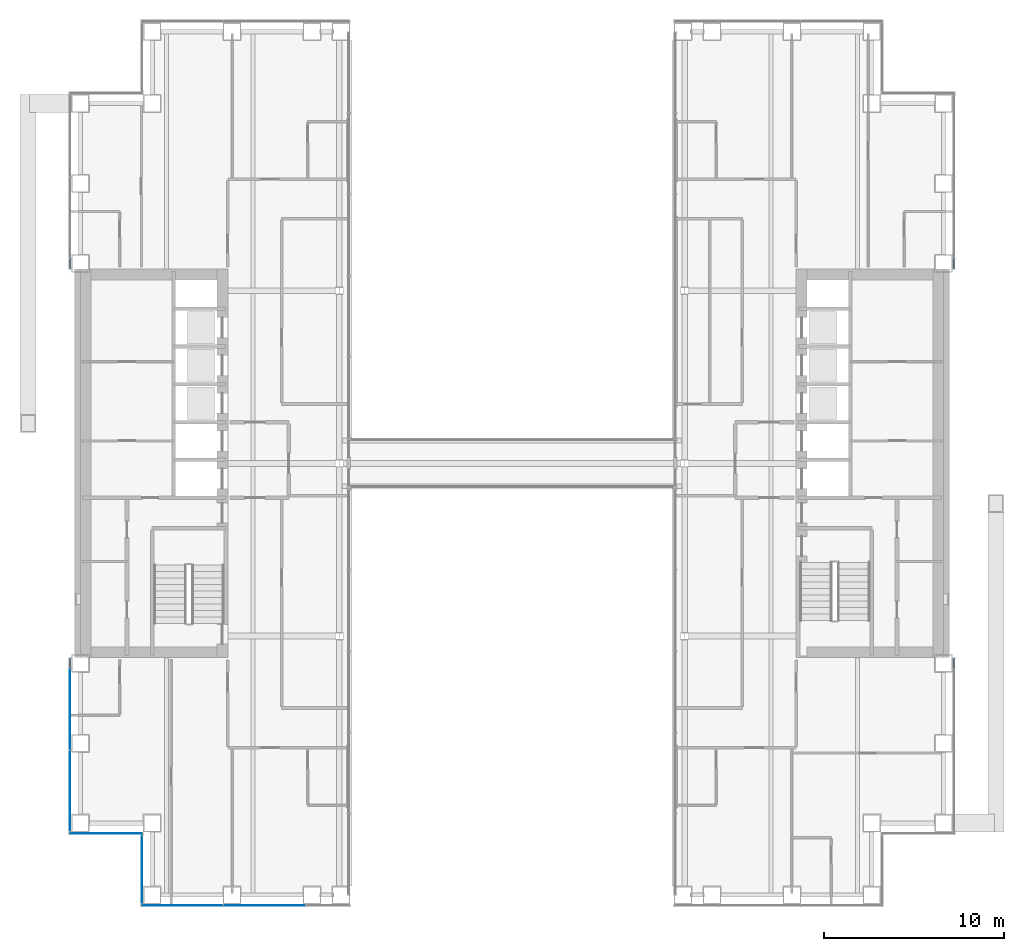
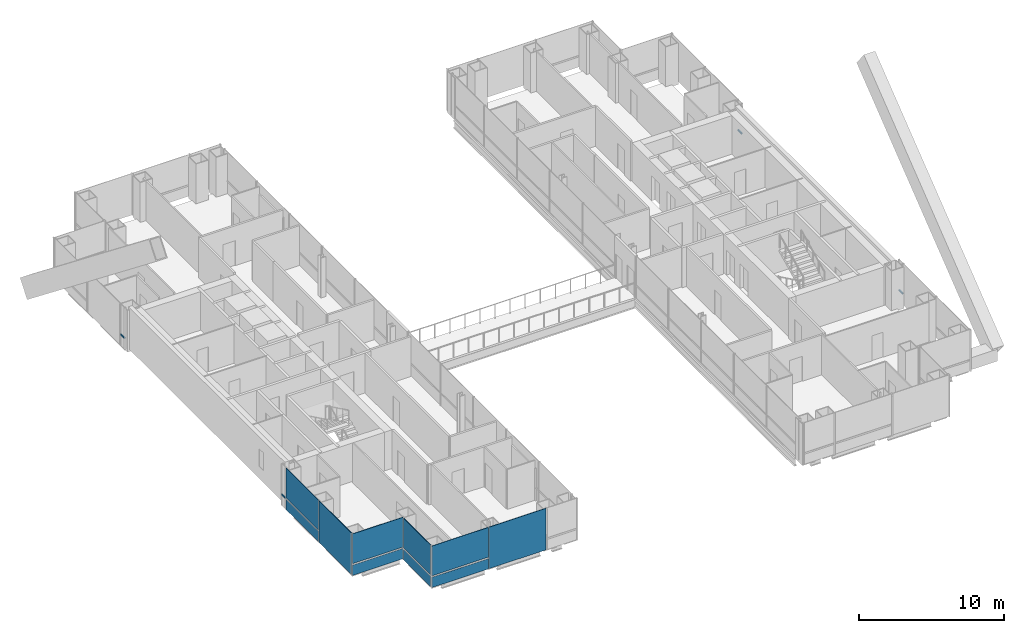
# One storey, part 8 of 19: 10 plates, 4 members, 7 elements without a shape of their own.
"""IFC4 building model written with IfcOpenShell, lengths in metres."""

from ifc_helpers import new_model, si_unit, direction, frame, origin, origin_2d, place, context, subcontext, project, spatial, rectangle, extrude, material, layer, layer_set, material_profile, profile_set, type_object, element, aggregate, save


model = new_model("IFC4")

# Units and contexts
model_context = context("Model", 3, precision=1e-05, world=origin(), true_north=direction((0.0, 1.0)))
body_context = subcontext(model_context, "Body", "Model", "MODEL_VIEW")
ifc_project = project(units=[si_unit("LENGTHUNIT", "METRE"), si_unit("AREAUNIT", "SQUARE_METRE"), si_unit("VOLUMEUNIT", "CUBIC_METRE"), si_unit("PLANEANGLEUNIT", "RADIAN"), si_unit("MASSUNIT", "GRAM", prefix="KILO")], contexts=[model_context])

# Site, building, storey
site_placement = place(None, origin())
site = spatial("IfcSite", under=ifc_project, at=site_placement, CompositionType="ELEMENT")
building_placement = place(site_placement, origin())
building = spatial("IfcBuilding", under=site, at=building_placement, Name="Cobrizo Arcos Hotel Tower", CompositionType="ELEMENT")
storey_placement = place(building_placement, frame((0.0, 0.0, 70.5)))
storey = spatial("IfcBuildingStorey", under=building, at=storey_placement, Name="L16", CompositionType="ELEMENT", Elevation=70.5)

# Curtain wall, member
ifc_material_1 = material(Name="Aluminium 6063-T6 anodised bronze", Category="aluminium")
curtain_wall_type = type_object("IfcCurtainWallType", Name="CW-A guest facade", PredefinedType="NOTDEFINED", material=ifc_material_1)
curtain_wall_1_placement = place(storey_placement, origin())
curtain_wall_1 = element("IfcCurtainWall", 1, at=curtain_wall_1_placement, inside=storey, type_object=curtain_wall_type, Name="CW-A L16 E face", PredefinedType="NOTDEFINED")
ifc_material_profile = material_profile(ifc_material_1, rectangle(XDim=0.10009765625, YDim=0.1201171875, at=origin_2d()), Name="CW-A transom 120x100")
ifc_profile_set = profile_set([ifc_material_profile], Name="Aluminium 6063-T6 anodised bronze")
member_type = type_object("IfcMemberType", Name="CW-A transom 120x100", PredefinedType="USERDEFINED", material=ifc_profile_set)
member_1_placement = place(storey_placement, frame((24.574951171875, -11.35888671875, 0.929931640625), z_axis=(0.0, 1.0, 0.0), x_axis=(-1.0, 0.0, 0.0)))
member_1 = element("IfcMember", 2, at=member_1_placement, type_object=member_type, Name="CW-A transom 695", ObjectType="TRANSOM", PredefinedType="USERDEFINED", context=body_context, shape_type="SweptSolid", body=[
    extrude(rectangle(XDim=0.10009765625, YDim=0.1201171875, at=origin_2d()), origin(), (0.0, 0.0, 1.0), 0.498779296875),
])
aggregate(curtain_wall_1, [member_1])

curtain_wall_2_placement = place(storey_placement, origin())
curtain_wall_2 = element("IfcCurtainWall", 3, at=curtain_wall_2_placement, inside=storey, type_object=curtain_wall_type, Name="CW-A L16 E face", PredefinedType="NOTDEFINED")
member_2_placement = place(storey_placement, frame((24.574951171875, 10.860107421875, 0.929931640625), z_axis=(0.0, 1.0, 0.0), x_axis=(-1.0, 0.0, 0.0)))
member_2 = element("IfcMember", 4, at=member_2_placement, type_object=member_type, Name="CW-A transom 696", ObjectType="TRANSOM", PredefinedType="USERDEFINED", context=body_context, shape_type="SweptSolid", body=[
    extrude(rectangle(XDim=0.10009765625, YDim=0.1201171875, at=origin_2d()), origin(), (0.0, 0.0, 1.0), 0.498779296875),
])
aggregate(curtain_wall_2, [member_2])

curtain_wall_3_placement = place(storey_placement, origin())
curtain_wall_3 = element("IfcCurtainWall", 5, at=curtain_wall_3_placement, inside=storey, type_object=curtain_wall_type, Name="CW-A L16 W face", PredefinedType="NOTDEFINED")
member_3_placement = place(storey_placement, frame((-24.574951171875, 11.35888671875, 0.929931640625), z_axis=(0.0, -1.0, 0.0), x_axis=(1.0, 0.0, 0.0)))
member_3 = element("IfcMember", 6, at=member_3_placement, type_object=member_type, Name="CW-A transom 711", ObjectType="TRANSOM", PredefinedType="USERDEFINED", context=body_context, shape_type="SweptSolid", body=[
    extrude(rectangle(XDim=0.10009765625, YDim=0.1201171875, at=origin_2d()), origin(), (0.0, 0.0, 1.0), 0.498779296875),
])
aggregate(curtain_wall_3, [member_3])

curtain_wall_4_placement = place(storey_placement, origin())
curtain_wall_4 = element("IfcCurtainWall", 7, at=curtain_wall_4_placement, inside=storey, type_object=curtain_wall_type, Name="CW-A L16 W face", PredefinedType="NOTDEFINED")
member_4_placement = place(storey_placement, frame((-24.574951171875, -10.860107421875, 0.929931640625), z_axis=(0.0, -1.0, 0.0), x_axis=(1.0, 0.0, 0.0)))
member_4 = element("IfcMember", 8, at=member_4_placement, type_object=member_type, Name="CW-A transom 712", ObjectType="TRANSOM", PredefinedType="USERDEFINED", context=body_context, shape_type="SweptSolid", body=[
    extrude(rectangle(XDim=0.10009765625, YDim=0.1201171875, at=origin_2d()), origin(), (0.0, 0.0, 1.0), 0.498779296875),
])

# Curtain wall, plate
curtain_wall_5_placement = place(storey_placement, origin())
curtain_wall_5 = element("IfcCurtainWall", 9, at=curtain_wall_5_placement, inside=storey, type_object=curtain_wall_type, Name="CW-A L16 S face", PredefinedType="NOTDEFINED")
ifc_material_2 = material(Name="Glass clear laminated low-e", Category="glass")
ifc_layer_1 = layer(ifc_material_2, 0.0400390625)
ifc_layer_set_1 = layer_set([ifc_layer_1], Name="CW-A glass panel")
plate_type_1 = type_object("IfcPlateType", Name="CW-A glass panel", PredefinedType="CURTAIN_PANEL", material=ifc_layer_set_1)
plate_1_placement = place(storey_placement, frame((-18.340576171875, -24.574951171875, 0.990234375), z_axis=(0.0, 0.0, 1.0), x_axis=(1.0, 0.0, 0.0)))
plate_1 = element("IfcPlate", 10, at=plate_1_placement, type_object=plate_type_1, Name="CW-A glass panel 685", PredefinedType="CURTAIN_PANEL", context=body_context, shape_type="SweptSolid", body=[
    extrude(rectangle(XDim=4.498779296875, YDim=0.0400390625, at=origin_2d()), origin(), (0.0, 0.0, 1.0), 2.510009765625),
])

# Plate
plate_2_placement = place(storey_placement, frame((-24.574951171875, -13.666748046875, 0.990234375), z_axis=(0.0, 0.0, 1.0), x_axis=(0.0, -1.0, 0.0)))
plate_2 = element("IfcPlate", 11, at=plate_2_placement, type_object=plate_type_1, Name="CW-A glass panel 713", PredefinedType="CURTAIN_PANEL", context=body_context, shape_type="SweptSolid", body=[
    extrude(rectangle(XDim=4.49560546875, YDim=0.0400390625, at=origin_2d()), origin(), (0.0, 0.0, 1.0), 2.510009765625),
])

# Curtain wall, plate
curtain_wall_6_placement = place(storey_placement, origin())
curtain_wall_6 = element("IfcCurtainWall", 12, at=curtain_wall_6_placement, inside=storey, type_object=curtain_wall_type, Name="CW-A L16 S face", PredefinedType="NOTDEFINED")
plate_3_placement = place(storey_placement, frame((-22.574951171875, -20.574951171875, 0.990234375), z_axis=(0.0, 0.0, 1.0), x_axis=(1.0, 0.0, 0.0)))
plate_3 = element("IfcPlate", 13, at=plate_3_placement, type_object=plate_type_1, Name="CW-A glass panel 715", PredefinedType="CURTAIN_PANEL", context=body_context, shape_type="SweptSolid", body=[
    extrude(rectangle(XDim=4.030029296875, YDim=0.0400390625, at=origin_2d()), origin(), (0.0, 0.0, 1.0), 2.510009765625),
])

curtain_wall_7_placement = place(storey_placement, origin())
curtain_wall_7 = element("IfcCurtainWall", 14, at=curtain_wall_7_placement, inside=storey, type_object=curtain_wall_type, Name="CW-A L16 W face", PredefinedType="NOTDEFINED")
plate_4_placement = place(storey_placement, frame((-20.574951171875, -22.574951171875, 0.990234375), z_axis=(0.0, 0.0, 1.0), x_axis=(0.0, -1.0, 0.0)))
plate_4 = element("IfcPlate", 15, at=plate_4_placement, type_object=plate_type_1, Name="CW-A glass panel 716", PredefinedType="CURTAIN_PANEL", context=body_context, shape_type="SweptSolid", body=[
    extrude(rectangle(XDim=3.72998046875, YDim=0.0400390625, at=origin_2d()), origin(), (0.0, 0.0, 1.0), 2.510009765625),
])

# Plate
ifc_material_3 = material(Name="Aluminium composite panel pale metal", Category="aluminium")
ifc_layer_2 = layer(ifc_material_3, 0.0400390625)
ifc_layer_set_2 = layer_set([ifc_layer_2], Name="CW-A spandrel panel")
plate_type_2 = type_object("IfcPlateType", Name="CW-A spandrel panel", PredefinedType="CURTAIN_PANEL", material=ifc_layer_set_2)
plate_5_placement = place(storey_placement, frame((-18.340576171875, -24.574951171875, 0.0), z_axis=(0.0, 0.0, 1.0), x_axis=(1.0, 0.0, 0.0)))
plate_5 = element("IfcPlate", 16, at=plate_5_placement, type_object=plate_type_2, Name="CW-A spandrel panel 685", PredefinedType="CURTAIN_PANEL", context=body_context, shape_type="SweptSolid", body=[
    extrude(rectangle(XDim=4.498779296875, YDim=0.0400390625, at=origin_2d()), origin(), (0.0, 0.0, 1.0), 0.8701171875),
])

plate_6_placement = place(storey_placement, frame((-13.7666015625, -24.574951171875, 0.0), z_axis=(0.0, 0.0, 1.0), x_axis=(1.0, 0.0, 0.0)))
plate_6 = element("IfcPlate", 17, at=plate_6_placement, type_object=plate_type_2, Name="CW-A spandrel panel 686", PredefinedType="CURTAIN_PANEL", context=body_context, shape_type="SweptSolid", body=[
    extrude(rectangle(XDim=4.52880859375, YDim=0.0400390625, at=origin_2d()), origin(), (0.0, 0.0, 1.0), 3.5),
])

aggregate(curtain_wall_5, [plate_5, plate_1, plate_6])

plate_7_placement = place(storey_placement, frame((-24.574951171875, -13.666748046875, 0.0), z_axis=(0.0, 0.0, 1.0), x_axis=(0.0, -1.0, 0.0)))
plate_7 = element("IfcPlate", 18, at=plate_7_placement, type_object=plate_type_2, Name="CW-A spandrel panel 713", PredefinedType="CURTAIN_PANEL", context=body_context, shape_type="SweptSolid", body=[
    extrude(rectangle(XDim=4.49560546875, YDim=0.0400390625, at=origin_2d()), origin(), (0.0, 0.0, 1.0), 0.8701171875),
])

plate_8_placement = place(storey_placement, frame((-24.574951171875, -18.207275390625, 0.0), z_axis=(0.0, 0.0, 1.0), x_axis=(0.0, -1.0, 0.0)))
plate_8 = element("IfcPlate", 19, at=plate_8_placement, type_object=plate_type_2, Name="CW-A spandrel panel 714", PredefinedType="CURTAIN_PANEL", context=body_context, shape_type="SweptSolid", body=[
    extrude(rectangle(XDim=4.465576171875, YDim=0.0400390625, at=origin_2d()), origin(), (0.0, 0.0, 1.0), 3.5),
])

aggregate(curtain_wall_4, [member_4, plate_7, plate_2, plate_8])

plate_9_placement = place(storey_placement, frame((-22.574951171875, -20.574951171875, 0.0), z_axis=(0.0, 0.0, 1.0), x_axis=(1.0, 0.0, 0.0)))
plate_9 = element("IfcPlate", 20, at=plate_9_placement, type_object=plate_type_2, Name="CW-A spandrel panel 715", PredefinedType="CURTAIN_PANEL", context=body_context, shape_type="SweptSolid", body=[
    extrude(rectangle(XDim=4.030029296875, YDim=0.0400390625, at=origin_2d()), origin(), (0.0, 0.0, 1.0), 0.8701171875),
])

aggregate(curtain_wall_6, [plate_9, plate_3])

plate_10_placement = place(storey_placement, frame((-20.574951171875, -22.574951171875, 0.0), z_axis=(0.0, 0.0, 1.0), x_axis=(0.0, -1.0, 0.0)))
plate_10 = element("IfcPlate", 21, at=plate_10_placement, type_object=plate_type_2, Name="CW-A spandrel panel 716", PredefinedType="CURTAIN_PANEL", context=body_context, shape_type="SweptSolid", body=[
    extrude(rectangle(XDim=3.72998046875, YDim=0.0400390625, at=origin_2d()), origin(), (0.0, 0.0, 1.0), 0.8701171875),
])

aggregate(curtain_wall_7, [plate_10, plate_4])

save(model, "model.ifc")
